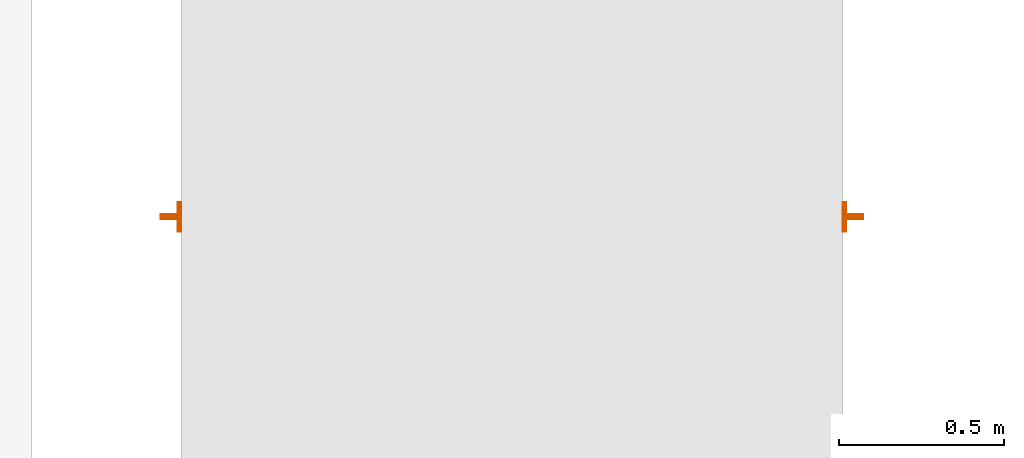
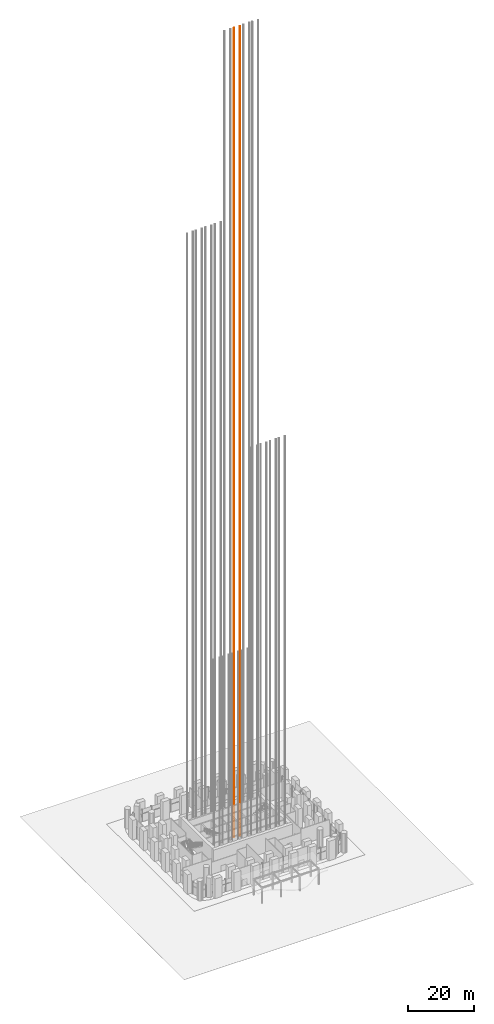
# One storey, part 30 of 32: 1 proxy.
"""IFC4 building model written with IfcOpenShell, lengths in metres."""

from ifc_helpers import new_model, si_unit, direction, frame, origin, origin_2d, place, context, subcontext, project, spatial, t_section, extrude, material, type_object, element, save


model = new_model("IFC4")

# Units and contexts
model_context = context("Model", 3, precision=1e-05, world=origin(), true_north=direction((0.0, 1.0)))
body_context = subcontext(model_context, "Body", "Model", "MODEL_VIEW")
ifc_project = project(units=[si_unit("LENGTHUNIT", "METRE"), si_unit("AREAUNIT", "SQUARE_METRE"), si_unit("VOLUMEUNIT", "CUBIC_METRE"), si_unit("PLANEANGLEUNIT", "RADIAN"), si_unit("MASSUNIT", "GRAM", prefix="KILO")], contexts=[model_context])

# Site, building, storey
site_placement = place(None, origin())
site = spatial("IfcSite", under=ifc_project, at=site_placement, CompositionType="ELEMENT")
building_placement = place(site_placement, origin())
building = spatial("IfcBuilding", under=site, at=building_placement, Name="Cobogo Forest Laboratory Tower", CompositionType="ELEMENT")
storey_placement = place(building_placement, origin())
storey = spatial("IfcBuildingStorey", under=building, at=storey_placement, Name="L00", CompositionType="ELEMENT", Elevation=0.0)

# Proxy
ifc_material = material(Name="Steel guide rail", Category="steel")
building_element_proxy_type = type_object("IfcBuildingElementProxyType", Name="LR lift guide rails", PredefinedType="USERDEFINED", material=ifc_material)
proxy_placement = place(storey_placement, frame((31.35009765625, 31.0, 0.0)))
element("IfcBuildingElementProxy", 1, at=proxy_placement, inside=storey, type_object=building_element_proxy_type, Name="LD2 guide rails", ObjectType="LIFT GUIDE RAILS", PredefinedType="USERDEFINED", context=body_context, shape_type="SweptSolid", body=[
    extrude(t_section(Depth=0.062, FlangeWidth=0.089, WebThickness=0.0159, FlangeThickness=0.01, at=origin_2d()), frame((-1.031005859375, 0.0, -5.39990234375), z_axis=(0.0, 0.0, 1.0), x_axis=(0.0, -1.0, 0.0)), (0.0, 0.0, 1.0), 297.64990234375),
    extrude(t_section(Depth=0.062, FlangeWidth=0.089, WebThickness=0.0159, FlangeThickness=0.01, at=origin_2d()), frame((1.031005859375, 0.0, -5.39990234375), z_axis=(0.0, 0.0, 1.0), x_axis=(0.0, 1.0, 0.0)), (0.0, 0.0, 1.0), 297.64990234375),
])

save(model, "model.ifc")
